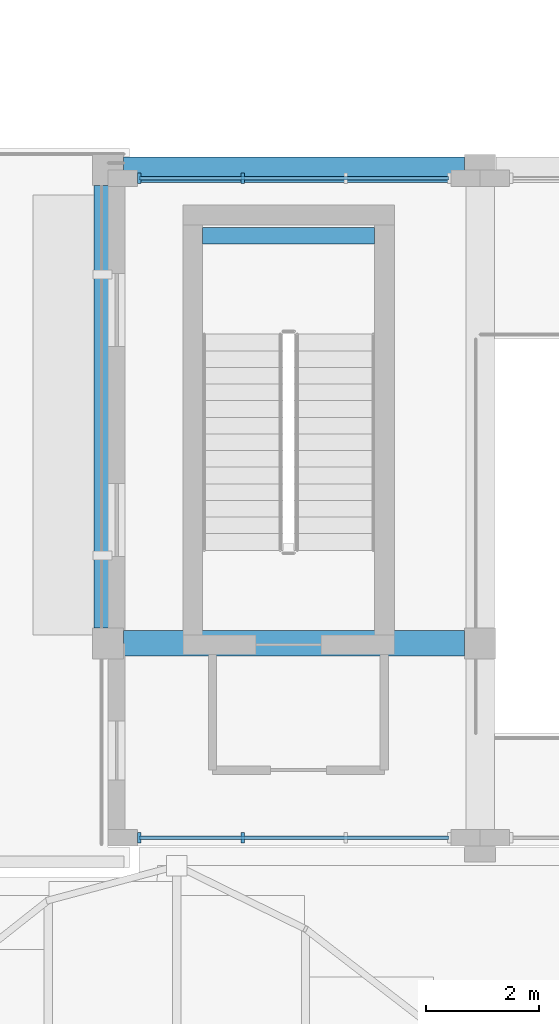
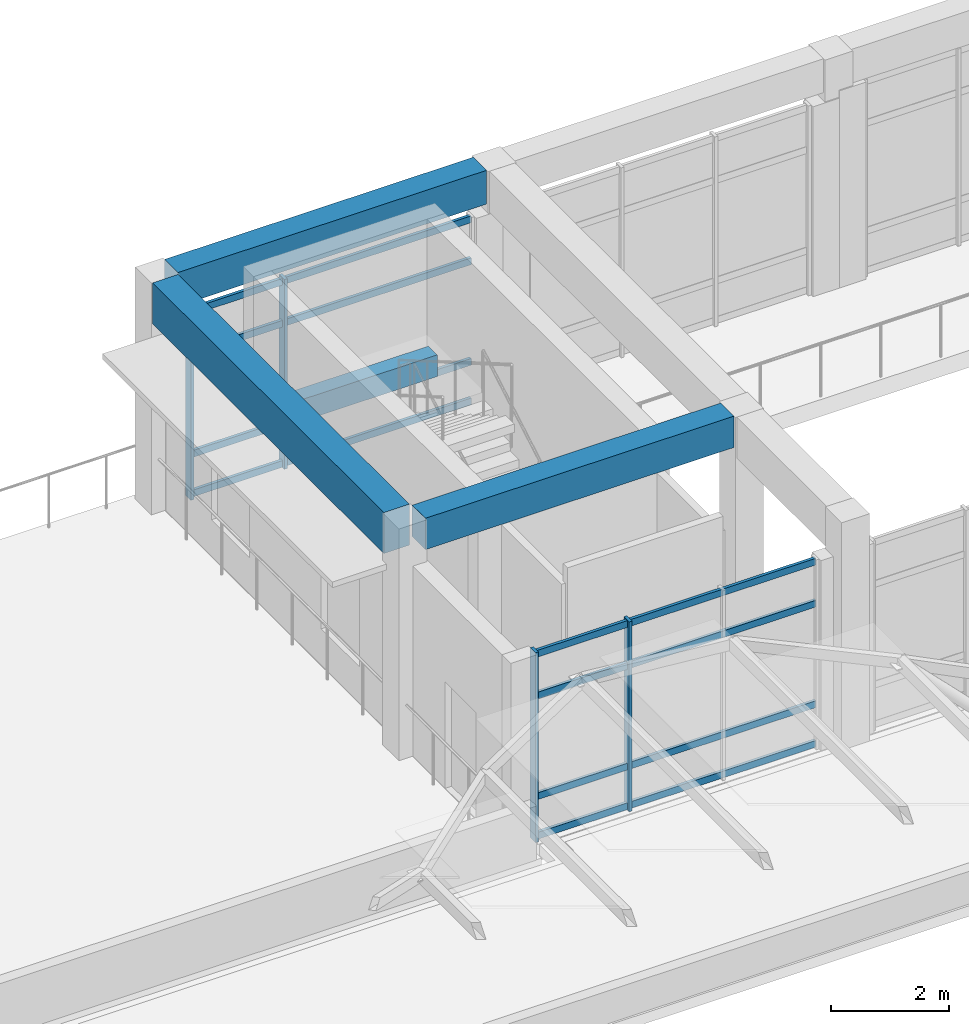
# One storey, part 19 of 79: 12 members, 4 beams, 2 elements without a shape of their own.
"""IFC4 building model written with IfcOpenShell, lengths in metres."""

import ifcopenshell
import ifcopenshell.guid

model = None  # the IFC model being written
_history = None  # IfcOwnerHistory: only IFC2X3 demands one
_inside = {}  # id of a spatial element -> (the spatial element, [elements in it])
_under = {}  # id of a project, library or spatial element -> (it, [spatial elements below it])
_declared = {}  # id of a project -> (the project, [libraries it declares])
_typed = {}  # id of a type object -> (the type object, [elements of that type])
_made_of = {}  # id of a material, layer set ... -> (it, [elements and type objects made of it])


def new_model(schema):
    """Start an empty IFC model of exactly this schema.

    Asked for "IFC4X3", IfcOpenShell would pick the latest addendum, in which some entities
    have other attributes; the version numbers below select the first issue.
    IFC2X3 requires an IfcOwnerHistory on every rooted entity: one is made here for all.
    """
    global model, _history
    if schema == "IFC4X3":
        model = ifcopenshell.file(schema_version=(4, 3, 0, 0))
    else:
        model = ifcopenshell.file(schema=schema)
    _inside.clear()
    _under.clear()
    _declared.clear()
    _typed.clear()
    _made_of.clear()
    _history = None
    if model.schema == "IFC2X3":
        org = make("IfcOrganization", Name="unknown")
        user = make(
            "IfcPersonAndOrganization",
            ThePerson=make("IfcPerson", FamilyName="unknown"),
            TheOrganization=org,
        )
        app = make(
            "IfcApplication",
            ApplicationDeveloper=org,
            Version="unknown",
            ApplicationFullName="unknown",
            ApplicationIdentifier="unknown",
        )
        _history = make(
            "IfcOwnerHistory",
            OwningUser=user,
            OwningApplication=app,
            ChangeAction="ADDED",
            CreationDate=0,
        )
    return model


def make(cls, **values):
    """One entity of the class cls with the attributes given. An attribute that is None is left unset."""
    return model.create_entity(
        cls, **{name: value for name, value in values.items() if value is not None}
    )


def rooted(cls, **values):
    """An entity with a GlobalId (a new one), such as an element, a storey or a relation."""
    return make(cls, GlobalId=ifcopenshell.guid.new(), OwnerHistory=_history, **values)


def si_unit(unit_type, name, prefix=None):
    """IfcSIUnit, for example si_unit("LENGTHUNIT", "METRE", prefix="MILLI")."""
    return make("IfcSIUnit", UnitType=unit_type, Prefix=prefix, Name=name)


def assignment(units):
    """IfcUnitAssignment: the units of a project."""
    return None if units is None else make("IfcUnitAssignment", Units=units)


def point(xyz):
    """IfcCartesianPoint."""
    return None if xyz is None else make("IfcCartesianPoint", Coordinates=xyz)


def direction(xyz):
    """IfcDirection."""
    return None if xyz is None else make("IfcDirection", DirectionRatios=xyz)


def frame(location, z_axis=None, x_axis=None):
    """IfcAxis2Placement3D, a coordinate frame: its origin and axes. An axis left out is left unset."""
    return make(
        "IfcAxis2Placement3D",
        Location=point(location),
        Axis=direction(z_axis),
        RefDirection=direction(x_axis),
    )


def frame_2d(location, x_axis=None):
    """IfcAxis2Placement2D, a coordinate frame in the plane: its origin and x axis."""
    return make(
        "IfcAxis2Placement2D", Location=point(location), RefDirection=direction(x_axis)
    )


def origin():
    """The frame at (0, 0, 0) with its axes left unset."""
    return frame((0.0, 0.0, 0.0))


def origin_2d():
    """The frame at (0, 0) in the plane with its x axis left unset."""
    return frame_2d((0.0, 0.0))


def place(relative_to, where):
    """IfcLocalPlacement: puts the frame where relative to a parent placement (None: the world)."""
    return make(
        "IfcLocalPlacement", PlacementRelTo=relative_to, RelativePlacement=where
    )


def context(
    kind, dimensions, precision=None, world=None, true_north=None, identifier=None
):
    """IfcGeometricRepresentationContext, for example the 3D "Model" context."""
    return make(
        "IfcGeometricRepresentationContext",
        ContextIdentifier=identifier,
        ContextType=kind,
        CoordinateSpaceDimension=dimensions,
        Precision=precision,
        WorldCoordinateSystem=world,
        TrueNorth=true_north,
    )


def subcontext(parent, identifier, kind, view, scale=None):
    """IfcGeometricRepresentationSubContext, for example "Body" below "Model"."""
    return make(
        "IfcGeometricRepresentationSubContext",
        ContextIdentifier=identifier,
        ContextType=kind,
        ParentContext=parent,
        TargetScale=scale,
        TargetView=view,
    )


def project(units=None, contexts=None):
    """IfcProject with its units and contexts."""
    return rooted(
        "IfcProject",
        Name="project",
        RepresentationContexts=contexts,
        UnitsInContext=assignment(units),
    )


def spatial(cls, under=None, at=None, **own):
    """A site, building, storey or space (cls), placed at a placement, below another one or the project."""
    s = rooted(cls, ObjectPlacement=at, **own)
    if under is not None:
        _under.setdefault(under.id(), (under, []))[1].append(s)
    return s


def profile(cls, at=None, kind="AREA", **sizes):
    """A parametric profile (cls). Its sizes go by their IFC names, for example OverallWidth=200.0."""
    return make(cls, ProfileType=kind, Position=at, **sizes)


def rectangle(**sizes):
    """IfcRectangleProfileDef."""
    return profile("IfcRectangleProfileDef", **sizes)


def extrude(swept, where, along, depth):
    """IfcExtrudedAreaSolid: the profile swept, set in the frame where, extruded along a direction by depth."""
    return make(
        "IfcExtrudedAreaSolid",
        SweptArea=swept,
        Position=where,
        ExtrudedDirection=direction(along),
        Depth=depth,
    )


def shape(context_of_items, identifier, shape_type, items):
    """IfcShapeRepresentation: the items that make up one representation, for example the "Body"."""
    return make(
        "IfcShapeRepresentation",
        ContextOfItems=context_of_items,
        RepresentationIdentifier=identifier,
        RepresentationType=shape_type,
        Items=items,
    )


def material(Name=None, Category=None):
    """IfcMaterial."""
    return make("IfcMaterial", Name=Name, Category=Category)


def layer(
    of_material, thickness, ventilated=None, Name=None, Category=None, Priority=None
):
    """IfcMaterialLayer: one layer of a wall or slab, of a material (None: an air gap)."""
    return make(
        "IfcMaterialLayer",
        Material=of_material,
        LayerThickness=thickness,
        IsVentilated=ventilated,
        Name=Name,
        Category=Category,
        Priority=Priority,
    )


def layer_set(layers, Name=None):
    """IfcMaterialLayerSet."""
    return make("IfcMaterialLayerSet", MaterialLayers=layers, LayerSetName=Name)


def material_profile(
    of_material, cross_section, Name=None, Category=None, Priority=None
):
    """IfcMaterialProfile: a cross section and its material."""
    return make(
        "IfcMaterialProfile",
        Name=Name,
        Material=of_material,
        Profile=cross_section,
        Priority=Priority,
        Category=Category,
    )


def profile_set(profiles, Name=None, composite=None):
    """IfcMaterialProfileSet."""
    return make(
        "IfcMaterialProfileSet",
        Name=Name,
        MaterialProfiles=profiles,
        CompositeProfile=composite,
    )


def made_of(thing, what):
    """Note that an element or type object is made of a material, layer set ...; save() writes the relation."""
    if what is not None:
        _made_of.setdefault(what.id(), (what, []))[1].append(thing)
    return thing


def type_object(cls, material=None, **own):
    """A type object (cls), such as IfcWallType, which elements share."""
    return made_of(rooted(cls, **own), material)


def element(
    cls,
    number,
    at=None,
    inside=None,
    cuts=None,
    type_object=None,
    material=None,
    context=None,
    identifier="Body",
    shape_type=None,
    held_by="IfcProductDefinitionShape",
    body=None,
    shapes=None,
    **own,
):
    """One element of the class cls, such as IfcWall. Its Tag is "e" and its number.

    at: its placement. inside: the storey or other place that contains it. cuts: it is an
    opening in that element (IfcRelVoidsElement). A single representation is given by context,
    identifier, shape_type and body (its items); several are given by shapes. held_by: the class
    of the entity that holds the representations. save() writes the other relations.
    """
    e = rooted(cls, Tag="e%d" % number, ObjectPlacement=at, **own)
    if body is not None:
        shapes = [shape(context, identifier, shape_type, body)]
    if shapes is not None:
        e.Representation = make(held_by, Representations=shapes)
    if inside is not None:
        _inside.setdefault(inside.id(), (inside, []))[1].append(e)
    if cuts is not None:
        rooted(
            "IfcRelVoidsElement", RelatingBuildingElement=cuts, RelatedOpeningElement=e
        )
    if type_object is not None:
        _typed.setdefault(type_object.id(), (type_object, []))[1].append(e)
    return made_of(e, material)


def aggregate(whole, parts):
    """IfcRelAggregates: a whole, such as a stair, and the parts it consists of."""
    return rooted("IfcRelAggregates", RelatingObject=whole, RelatedObjects=parts)


def save(model, path):
    """Write the relations noted so far, then the file.

    IfcRelAggregates (storeys below a building ...), IfcRelContainedInSpatialStructure (elements
    in a storey), IfcRelDefinesByType, IfcRelAssociatesMaterial and IfcRelDeclares: one each for
    every whole, place, type object, material and project.
    """
    for whole, parts in _under.values():
        aggregate(whole, parts)
    for where, things in _inside.values():
        rooted(
            "IfcRelContainedInSpatialStructure",
            RelatedElements=things,
            RelatingStructure=where,
        )
    for kind, things in _typed.values():
        rooted("IfcRelDefinesByType", RelatedObjects=things, RelatingType=kind)
    for what, things in _made_of.values():
        rooted("IfcRelAssociatesMaterial", RelatedObjects=things, RelatingMaterial=what)
    for by, libraries in _declared.values():
        rooted("IfcRelDeclares", RelatingContext=by, RelatedDefinitions=libraries)
    model.write(path)


model = new_model("IFC4")

# Units and contexts
model_context = context("Model", 3, precision=1e-05, world=origin(), true_north=direction((0.0, 1.0)))
body_context = subcontext(model_context, "Body", "Model", "MODEL_VIEW")
ifc_project = project(units=[si_unit("LENGTHUNIT", "METRE"), si_unit("AREAUNIT", "SQUARE_METRE"), si_unit("VOLUMEUNIT", "CUBIC_METRE"), si_unit("PLANEANGLEUNIT", "RADIAN"), si_unit("MASSUNIT", "GRAM", prefix="KILO")], contexts=[model_context])

# Site, building, storey
site_placement = place(None, origin())
site = spatial("IfcSite", under=ifc_project, at=site_placement, CompositionType="ELEMENT")
building_placement = place(site_placement, origin())
building = spatial("IfcBuilding", under=site, at=building_placement, Name="Kolvaren Faculty of Natural Sciences", CompositionType="ELEMENT")
storey_placement = place(building_placement, frame((0.0, 0.0, 10.199951171875)))
storey = spatial("IfcBuildingStorey", under=building, at=storey_placement, Name="L02", CompositionType="ELEMENT", Elevation=10.199951171875)

# Beam
ifc_material_1 = material(Name="Concrete C40/50", Category="concrete")
ifc_material_profile_1 = material_profile(ifc_material_1, rectangle(XDim=0.300048828125, YDim=0.449951171875, at=origin_2d()), Name="RC LNT 300x450")
ifc_profile_set_1 = profile_set([ifc_material_profile_1], Name="Concrete C40/50")
beam_type_1 = type_object("IfcBeamType", Name="CoreCouplingLintel_300x450", PredefinedType="LINTEL", material=ifc_profile_set_1)
beam_1_placement = place(storey_placement, frame((61.27490234375, 83.030029296875, 1.97509765625), z_axis=(1.0, 0.0, 0.0), x_axis=(0.0, 1.0, 0.0)))
element("IfcBeam", 1, at=beam_1_placement, inside=storey, type_object=beam_type_1, Name="L02 ST-6 half-landing support lintel", PredefinedType="LINTEL", context=body_context, shape_type="SweptSolid", body=[
    extrude(rectangle(XDim=0.300048828125, YDim=0.449951171875, at=origin_2d()), origin(), (0.0, 0.0, 1.0), 3.050048828125),
])

# Curtain wall, members
ifc_material_2 = material(Name="Thermally broken anodised aluminium framing", Category="aluminium")
ifc_layer = layer(ifc_material_2, 0.179931640625)
ifc_layer_set = layer_set([ifc_layer], Name="Thermally broken anodised aluminium framing")
curtain_wall_type = type_object("IfcCurtainWallType", Name="AtriumCurtainWall_CW01", PredefinedType="NOTDEFINED", material=ifc_layer_set)
curtain_wall_1_placement = place(storey_placement, origin())
curtain_wall_1 = element("IfcCurtainWall", 2, at=curtain_wall_1_placement, inside=storey, type_object=curtain_wall_type, Name="L02 unitised curtain wall CW-01 (CW-L02-125)", PredefinedType="NOTDEFINED")
ifc_material_profile_2 = material_profile(ifc_material_2, rectangle(XDim=0.06005859375, YDim=0.179931640625, at=origin_2d()), Name="ALU MUL 60x180")
ifc_profile_set_2 = profile_set([ifc_material_profile_2], Name="Thermally broken anodised aluminium framing")
member_type_1 = type_object("IfcMemberType", Name="CurtainMullion_60x180", PredefinedType="MULLION", material=ifc_profile_set_2)
member_1_placement = place(storey_placement, frame((61.9833984375, 72.35009765625, 0.0), z_axis=(0.0, 0.0, 1.0), x_axis=(-1.0, 0.0, 0.0)))
member_1 = element("IfcMember", 3, at=member_1_placement, type_object=member_type_1, Name="CW-L02-125 vertical mullion 3", PredefinedType="MULLION", context=body_context, shape_type="SweptSolid", body=[
    extrude(rectangle(XDim=0.06005859375, YDim=0.179931640625, at=origin_2d()), origin(), (0.0, 0.0, 1.0), 3.93505859375),
])
member_2_placement = place(storey_placement, frame((60.14990234375, 72.35009765625, 0.0), z_axis=(0.0, 0.0, 1.0), x_axis=(-1.0, 0.0, 0.0)))
member_2 = element("IfcMember", 4, at=member_2_placement, type_object=member_type_1, Name="CW-L02-125 vertical mullion 4", PredefinedType="MULLION", context=body_context, shape_type="SweptSolid", body=[
    extrude(rectangle(XDim=0.06005859375, YDim=0.179931640625, at=origin_2d()), origin(), (0.0, 0.0, 1.0), 3.93505859375),
])

curtain_wall_2_placement = place(storey_placement, origin())
curtain_wall_2 = element("IfcCurtainWall", 5, at=curtain_wall_2_placement, inside=storey, type_object=curtain_wall_type, Name="L02 unitised curtain wall CW-01 (CW-L02-126)", PredefinedType="NOTDEFINED")
member_3_placement = place(storey_placement, frame((60.14990234375, 84.050048828125, 0.0), z_axis=(0.0, 0.0, 1.0), x_axis=(1.0, 0.0, 0.0)))
member_3 = element("IfcMember", 6, at=member_3_placement, type_object=member_type_1, Name="CW-L02-126 vertical mullion 1", PredefinedType="MULLION", context=body_context, shape_type="SweptSolid", body=[
    extrude(rectangle(XDim=0.06005859375, YDim=0.179931640625, at=origin_2d()), origin(), (0.0, 0.0, 1.0), 3.93505859375),
])
member_4_placement = place(storey_placement, frame((61.9833984375, 84.050048828125, 0.0), z_axis=(0.0, 0.0, 1.0), x_axis=(1.0, 0.0, 0.0)))
member_4 = element("IfcMember", 7, at=member_4_placement, type_object=member_type_1, Name="CW-L02-126 vertical mullion 2", PredefinedType="MULLION", context=body_context, shape_type="SweptSolid", body=[
    extrude(rectangle(XDim=0.06005859375, YDim=0.179931640625, at=origin_2d()), origin(), (0.0, 0.0, 1.0), 3.93505859375),
])

# Member
ifc_material_profile_3 = material_profile(ifc_material_2, rectangle(XDim=0.06005859375, YDim=0.139892578125, at=origin_2d()), Name="ALU TRN 60x140")
ifc_profile_set_3 = profile_set([ifc_material_profile_3], Name="Thermally broken anodised aluminium framing")
member_type_2 = type_object("IfcMemberType", Name="CurtainTransom_60x140", PredefinedType="USERDEFINED", material=ifc_profile_set_3)
member_5_placement = place(storey_placement, frame((65.64990234375, 72.35009765625, 0.080078125), z_axis=(-1.0, 0.0, 0.0), x_axis=(0.0, -1.0, 0.0)))
member_5 = element("IfcMember", 8, at=member_5_placement, type_object=member_type_2, Name="CW-L02-125 horizontal transom 1", ObjectType="TRANSOM", PredefinedType="USERDEFINED", context=body_context, shape_type="SweptSolid", body=[
    extrude(rectangle(XDim=0.06005859375, YDim=0.139892578125, at=origin_2d()), origin(), (0.0, 0.0, 1.0), 5.5),
])

member_6_placement = place(storey_placement, frame((65.64990234375, 72.35009765625, 0.900146484375), z_axis=(-1.0, 0.0, 0.0), x_axis=(0.0, -1.0, 0.0)))
member_6 = element("IfcMember", 9, at=member_6_placement, type_object=member_type_2, Name="CW-L02-125 horizontal transom 2", ObjectType="TRANSOM", PredefinedType="USERDEFINED", context=body_context, shape_type="SweptSolid", body=[
    extrude(rectangle(XDim=0.06005859375, YDim=0.139892578125, at=origin_2d()), origin(), (0.0, 0.0, 1.0), 5.5),
])

member_7_placement = place(storey_placement, frame((65.64990234375, 72.35009765625, 2.985107421875), z_axis=(-1.0, 0.0, 0.0), x_axis=(0.0, -1.0, 0.0)))
member_7 = element("IfcMember", 10, at=member_7_placement, type_object=member_type_2, Name="CW-L02-125 horizontal transom 3", ObjectType="TRANSOM", PredefinedType="USERDEFINED", context=body_context, shape_type="SweptSolid", body=[
    extrude(rectangle(XDim=0.06005859375, YDim=0.139892578125, at=origin_2d()), origin(), (0.0, 0.0, 1.0), 5.5),
])

member_8_placement = place(storey_placement, frame((65.64990234375, 72.35009765625, 3.85498046875), z_axis=(-1.0, 0.0, 0.0), x_axis=(0.0, -1.0, 0.0)))
member_8 = element("IfcMember", 11, at=member_8_placement, type_object=member_type_2, Name="CW-L02-125 horizontal transom 4", ObjectType="TRANSOM", PredefinedType="USERDEFINED", context=body_context, shape_type="SweptSolid", body=[
    extrude(rectangle(XDim=0.06005859375, YDim=0.139892578125, at=origin_2d()), origin(), (0.0, 0.0, 1.0), 5.5),
])

aggregate(curtain_wall_1, [member_1, member_2, member_5, member_6, member_7, member_8])

member_9_placement = place(storey_placement, frame((60.14990234375, 84.050048828125, 0.080078125), z_axis=(1.0, 0.0, 0.0), x_axis=(0.0, 1.0, 0.0)))
member_9 = element("IfcMember", 12, at=member_9_placement, type_object=member_type_2, Name="CW-L02-126 horizontal transom 1", ObjectType="TRANSOM", PredefinedType="USERDEFINED", context=body_context, shape_type="SweptSolid", body=[
    extrude(rectangle(XDim=0.06005859375, YDim=0.139892578125, at=origin_2d()), origin(), (0.0, 0.0, 1.0), 5.5),
])

member_10_placement = place(storey_placement, frame((60.14990234375, 84.050048828125, 0.900146484375), z_axis=(1.0, 0.0, 0.0), x_axis=(0.0, 1.0, 0.0)))
member_10 = element("IfcMember", 13, at=member_10_placement, type_object=member_type_2, Name="CW-L02-126 horizontal transom 2", ObjectType="TRANSOM", PredefinedType="USERDEFINED", context=body_context, shape_type="SweptSolid", body=[
    extrude(rectangle(XDim=0.06005859375, YDim=0.139892578125, at=origin_2d()), origin(), (0.0, 0.0, 1.0), 5.5),
])

member_11_placement = place(storey_placement, frame((60.14990234375, 84.050048828125, 2.985107421875), z_axis=(1.0, 0.0, 0.0), x_axis=(0.0, 1.0, 0.0)))
member_11 = element("IfcMember", 14, at=member_11_placement, type_object=member_type_2, Name="CW-L02-126 horizontal transom 3", ObjectType="TRANSOM", PredefinedType="USERDEFINED", context=body_context, shape_type="SweptSolid", body=[
    extrude(rectangle(XDim=0.06005859375, YDim=0.139892578125, at=origin_2d()), origin(), (0.0, 0.0, 1.0), 5.5),
])

member_12_placement = place(storey_placement, frame((60.14990234375, 84.050048828125, 3.85498046875), z_axis=(1.0, 0.0, 0.0), x_axis=(0.0, 1.0, 0.0)))
member_12 = element("IfcMember", 15, at=member_12_placement, type_object=member_type_2, Name="CW-L02-126 horizontal transom 4", ObjectType="TRANSOM", PredefinedType="USERDEFINED", context=body_context, shape_type="SweptSolid", body=[
    extrude(rectangle(XDim=0.06005859375, YDim=0.139892578125, at=origin_2d()), origin(), (0.0, 0.0, 1.0), 5.5),
])

aggregate(curtain_wall_2, [member_3, member_4, member_9, member_10, member_11, member_12])

# Beams
ifc_material_3 = material(Name="Concrete C35/45", Category="concrete")
ifc_material_profile_4 = material_profile(ifc_material_3, rectangle(XDim=0.449951171875, YDim=0.64990234375, at=origin_2d()), Name="RC BM 450x650")
ifc_profile_set_4 = profile_set([ifc_material_profile_4], Name="Concrete C35/45")
beam_type_2 = type_object("IfcBeamType", Name="GridBeam_450x650", PredefinedType="BEAM", material=ifc_profile_set_4)
beam_2_placement = place(storey_placement, frame((59.875, 75.800048828125, 4.47509765625), z_axis=(1.0, 0.0, 0.0), x_axis=(0.0, 1.0, 0.0)))
element("IfcBeam", 16, at=beam_2_placement, inside=storey, type_object=beam_type_2, Name="L02 beam BM-65 on grid K", PredefinedType="BEAM", context=body_context, shape_type="SweptSolid", body=[
    extrude(rectangle(XDim=0.449951171875, YDim=0.64990234375, at=origin_2d()), origin(), (0.0, 0.0, 1.0), 6.050048828125),
])
ifc_material_profile_5 = material_profile(ifc_material_3, rectangle(XDim=0.449951171875, YDim=0.699951171875, at=origin_2d()), Name="RC SP 450x700")
ifc_profile_set_5 = profile_set([ifc_material_profile_5], Name="Concrete C35/45")
beam_type_3 = type_object("IfcBeamType", Name="PerimeterSpandrel_450x700", PredefinedType="SPANDREL", material=ifc_profile_set_5)
beam_3_placement = place(storey_placement, frame((59.875, 84.199951171875, 4.449951171875), z_axis=(1.0, 0.0, 0.0), x_axis=(0.0, 1.0, 0.0)))
element("IfcBeam", 17, at=beam_3_placement, inside=storey, type_object=beam_type_3, Name="L02 spandrel SP-70 on grid L", PredefinedType="SPANDREL", context=body_context, shape_type="SweptSolid", body=[
    extrude(rectangle(XDim=0.449951171875, YDim=0.699951171875, at=origin_2d()), origin(), (0.0, 0.0, 1.0), 6.050048828125),
])
ifc_material_profile_6 = material_profile(ifc_material_3, rectangle(XDim=0.5, YDim=0.85009765625, at=origin_2d()), Name="RC BM 500x850")
ifc_profile_set_6 = profile_set([ifc_material_profile_6], Name="Concrete C35/45")
beam_type_4 = type_object("IfcBeamType", Name="PrimaryGirder_500x850", PredefinedType="BEAM", material=ifc_profile_set_6)
beam_4_placement = place(storey_placement, frame((59.60009765625, 76.074951171875, 4.375), z_axis=(0.0, 1.0, 0.0), x_axis=(-1.0, 0.0, 0.0)))
element("IfcBeam", 18, at=beam_4_placement, inside=storey, type_object=beam_type_4, Name="L02 girder BG-85 on grid 10", PredefinedType="BEAM", context=body_context, shape_type="SweptSolid", body=[
    extrude(rectangle(XDim=0.5, YDim=0.85009765625, at=origin_2d()), origin(), (0.0, 0.0, 1.0), 7.85009765625),
])

save(model, "model.ifc")
